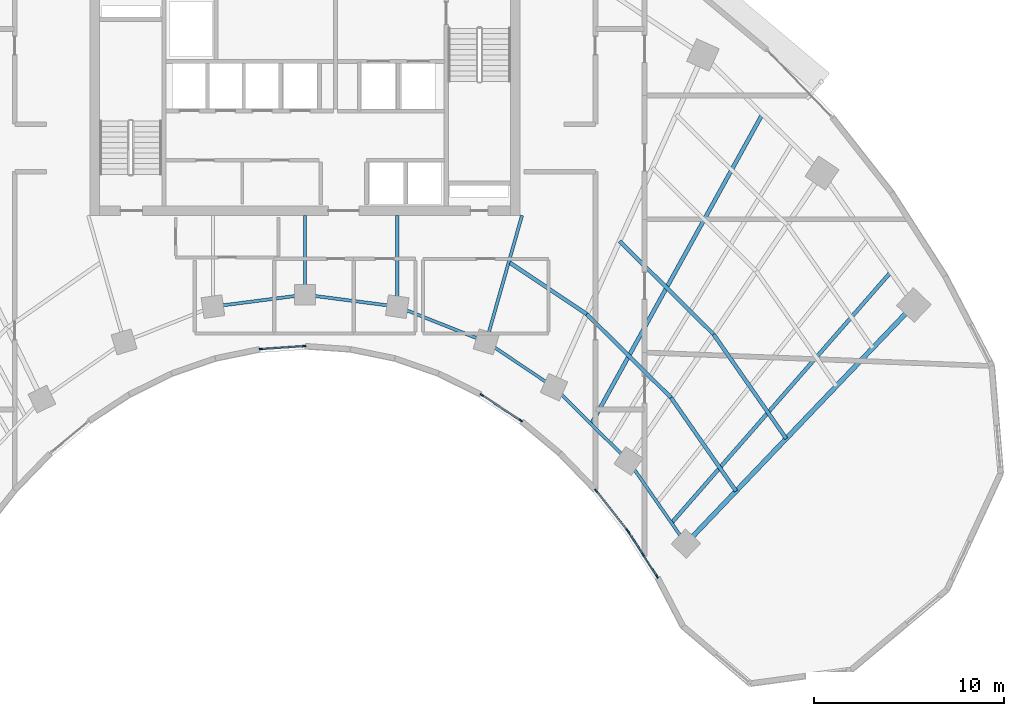
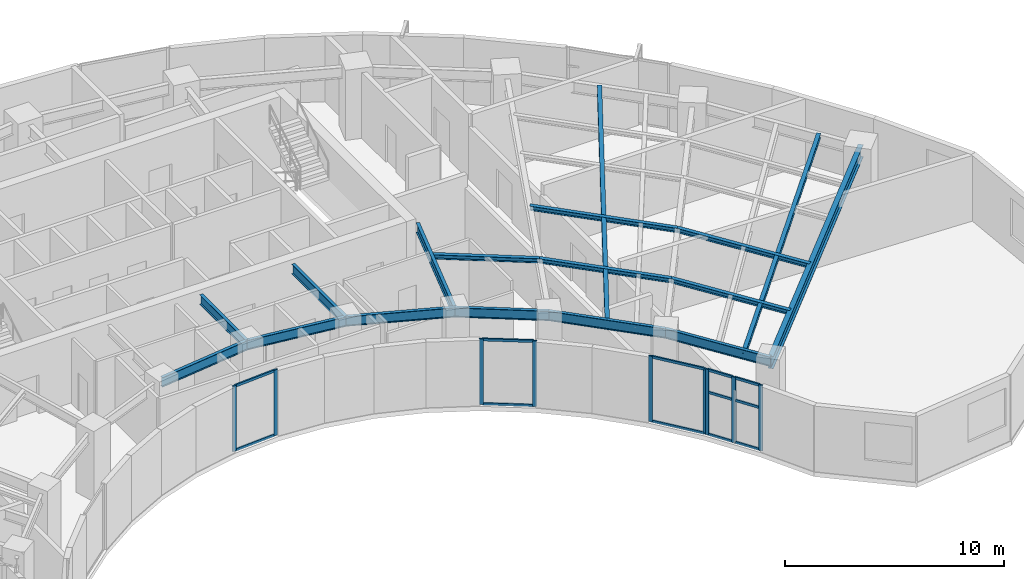
# One storey, part 3 of 14: 21 members, 17 beams, 4 elements without a shape of their own.
"""IFC4 building model written with IfcOpenShell, lengths in metres."""

from ifc_helpers import new_model, si_unit, direction, frame, origin, origin_2d, place, context, subcontext, project, spatial, rectangle, i_section, extrude, source, transform, mapped, material, layer, layer_set, material_profile, profile_set, type_object, type_shapes, element, aggregate, save


model = new_model("IFC4")

# Units and contexts
model_context = context("Model", 3, precision=1e-05, world=origin(), true_north=direction((0.0, 1.0)))
body_context = subcontext(model_context, "Body", "Model", "MODEL_VIEW")
ifc_project = project(units=[si_unit("LENGTHUNIT", "METRE"), si_unit("AREAUNIT", "SQUARE_METRE"), si_unit("VOLUMEUNIT", "CUBIC_METRE"), si_unit("PLANEANGLEUNIT", "RADIAN"), si_unit("MASSUNIT", "GRAM", prefix="KILO")], contexts=[model_context])

# Site, building, storey
site_placement = place(None, origin())
site = spatial("IfcSite", under=ifc_project, at=site_placement, CompositionType="ELEMENT")
building_placement = place(site_placement, origin())
building = spatial("IfcBuilding", under=site, at=building_placement, Name="Breltana Convention Tower", CompositionType="ELEMENT")
storey_placement = place(building_placement, frame((0.0, 0.0, 123.300048828125)))
storey = spatial("IfcBuildingStorey", under=building, at=storey_placement, Name="L29", CompositionType="ELEMENT", Elevation=123.300048828125)

# Beams
ifc_material_1 = material(Name="Steel ASTM A992 Grade 50", Category="steel")
ifc_material_profile_1 = material_profile(ifc_material_1, i_section(OverallWidth=0.25390625, OverallDepth=0.68798828125, WebThickness=0.01318359375, FlangeThickness=0.02099609375, at=origin_2d()), Name="W27X102")
ifc_profile_set_1 = profile_set([ifc_material_profile_1], Name="Steel ASTM A992 Grade 50")
beam_type_1 = type_object("IfcBeamType", Name="BM-RG-W27X102", PredefinedType="USERDEFINED", material=ifc_profile_set_1)
shared_shape_1 = source(origin(), body_context, "Body", "SweptSolid", [
    extrude(i_section(OverallWidth=0.25390625, OverallDepth=0.68798828125, WebThickness=0.01318359375, FlangeThickness=0.02099609375, at=origin_2d()), origin(), (0.0, 0.0, 1.0), 17.341064453125),
])
type_shapes(beam_type_1, [shared_shape_1])
beam_1_placement = place(storey_placement, frame((68.015380859375, 42.95458984375, 3.305908203125), z_axis=(0.690716462293, 0.723125693581, 0.0), x_axis=(-0.723125693581, 0.690716462293, 0.0)))
element("IfcBeam", 1, at=beam_1_placement, inside=storey, type_object=beam_type_1, Name="L29 Radial Floor Girder R11", ObjectType="GIRDER", PredefinedType="USERDEFINED", context=body_context, shape_type="MappedRepresentation", body=[
    mapped(shared_shape_1, transform((0.0, 0.0, 0.0), scale=1.0)),
])
ifc_material_profile_2 = material_profile(ifc_material_1, i_section(OverallWidth=0.166015625, OverallDepth=0.534912109375, WebThickness=0.01025390625, FlangeThickness=0.0166015625, at=origin_2d()), Name="W21X57")
ifc_profile_set_2 = profile_set([ifc_material_profile_2], Name="Steel ASTM A992 Grade 50")
beam_type_2 = type_object("IfcBeamType", Name="BM-BM-W21X57", PredefinedType="BEAM", material=ifc_profile_set_2)
shared_shape_2 = source(origin(), body_context, "Body", "SweptSolid", [
    extrude(i_section(OverallWidth=0.166015625, OverallDepth=0.534912109375, WebThickness=0.01025390625, FlangeThickness=0.0166015625, at=origin_2d()), origin(), (0.0, 0.0, 1.0), 6.904541015625),
])
type_shapes(beam_type_2, [shared_shape_2])
beam_2_placement = place(storey_placement, frame((59.39990234375, 60.199951171875, 3.382568359375), z_axis=(-0.273006781054, -0.962012108811, 0.0), x_axis=(0.962012108811, -0.273006781054, 0.0)))
element("IfcBeam", 2, at=beam_2_placement, inside=storey, type_object=beam_type_2, Name="L29 South Core Tie Girder R08", PredefinedType="BEAM", context=body_context, shape_type="MappedRepresentation", body=[
    mapped(shared_shape_2, transform((0.0, 0.0, 0.0), scale=1.0)),
])
shared_shape_3 = source(origin(), body_context, "Body", "SweptSolid", [
    extrude(i_section(OverallWidth=0.166015625, OverallDepth=0.534912109375, WebThickness=0.01025390625, FlangeThickness=0.0166015625, at=origin_2d()), origin(), (0.0, 0.0, 1.0), 4.789306640625),
])
beam_3_placement = place(storey_placement, frame((52.846435546875, 60.199951171875, 3.382568359375), z_axis=(0.0, -1.0, 0.0), x_axis=(1.0, 0.0, 0.0)))
element("IfcBeam", 3, at=beam_3_placement, inside=storey, type_object=beam_type_2, Name="L29 South Core Tie Girder R07", PredefinedType="BEAM", context=body_context, shape_type="MappedRepresentation", body=[
    mapped(shared_shape_3, transform((0.0, 0.0, 0.0), scale=1.0)),
])
shared_shape_4 = source(origin(), body_context, "Body", "SweptSolid", [
    extrude(i_section(OverallWidth=0.166015625, OverallDepth=0.534912109375, WebThickness=0.01025390625, FlangeThickness=0.0166015625, at=origin_2d()), origin(), (0.0, 0.0, 1.0), 4.1640625),
])
beam_4_placement = place(storey_placement, frame((48.0, 60.199951171875, 3.382568359375), z_axis=(0.0, -1.0, 0.0), x_axis=(1.0, 0.0, 0.0)))
element("IfcBeam", 4, at=beam_4_placement, inside=storey, type_object=beam_type_2, Name="L29 South Core Tie Girder R06", PredefinedType="BEAM", context=body_context, shape_type="MappedRepresentation", body=[
    mapped(shared_shape_4, transform((0.0, 0.0, 0.0), scale=1.0)),
])
shared_shape_5 = source(origin(), body_context, "Body", "SweptSolid", [
    extrude(i_section(OverallWidth=0.166015625, OverallDepth=0.534912109375, WebThickness=0.01025390625, FlangeThickness=0.0166015625, at=origin_2d()), origin(), (0.0, 0.0, 1.0), 5.022705078125),
])
beam_5_placement = place(storey_placement, frame((52.846435546875, 55.41064453125, 3.382568359375), z_axis=(0.929458966248, -0.368925507469, 0.0), x_axis=(0.368925507469, 0.929458966248, 0.0)))
element("IfcBeam", 5, at=beam_5_placement, inside=storey, type_object=beam_type_2, Name="L29 Inner Ring Beam 07", PredefinedType="BEAM", context=body_context, shape_type="MappedRepresentation", body=[
    mapped(shared_shape_5, transform((0.0, 0.0, 0.0), scale=1.0)),
])
shared_shape_6 = source(origin(), body_context, "Body", "SweptSolid", [
    extrude(i_section(OverallWidth=0.166015625, OverallDepth=0.534912109375, WebThickness=0.01025390625, FlangeThickness=0.0166015625, at=origin_2d()), origin(), (0.0, 0.0, 1.0), 4.88671875),
])
for number, where, z_axis, x_axis, name in (
    (6, (43.153564453125, 55.41064453125, 3.382568359375), (0.991780525565, 0.127950729231, 0.0), (-0.127950729231, 0.991780525565, 0.0), "L29 Inner Ring Beam 05"),
    (7, (48.0, 56.035888671875, 3.382568359375), (0.991780525565, -0.127950729231, 0.0), (0.127950729231, 0.991780525565, 0.0), "L29 Inner Ring Beam 06"),
):
    element("IfcBeam", number, at=place(storey_placement, frame(where, z_axis=z_axis, x_axis=x_axis)), inside=storey, type_object=beam_type_2, Name=name, PredefinedType="BEAM", context=body_context, shape_type="MappedRepresentation", body=[
        mapped(shared_shape_6, transform((0.0, 0.0, 0.0), scale=1.0)),
    ])
shared_shape_7 = source(origin(), body_context, "Body", "SweptSolid", [
    extrude(i_section(OverallWidth=0.166015625, OverallDepth=0.534912109375, WebThickness=0.01025390625, FlangeThickness=0.0166015625, at=origin_2d()), origin(), (0.0, 0.0, 1.0), 4.2900390625),
])
beam_6_placement = place(storey_placement, frame((57.514892578125, 53.5576171875, 3.382568359375), z_axis=(0.831515827753, -0.555501060482, 0.0), x_axis=(0.555501060482, 0.831515827753, 0.0)))
element("IfcBeam", 8, at=beam_6_placement, inside=storey, type_object=beam_type_2, Name="L29 Inner Ring Beam 08", PredefinedType="BEAM", context=body_context, shape_type="MappedRepresentation", body=[
    mapped(shared_shape_7, transform((0.0, 0.0, 0.0), scale=1.0)),
])
shared_shape_8 = source(origin(), body_context, "Body", "SweptSolid", [
    extrude(i_section(OverallWidth=0.166015625, OverallDepth=0.534912109375, WebThickness=0.01025390625, FlangeThickness=0.0166015625, at=origin_2d()), origin(), (0.0, 0.0, 1.0), 5.51171875),
])
beam_7_placement = place(storey_placement, frame((61.08203125, 51.174560546875, 3.382568359375), z_axis=(0.710090360749, -0.704110559196, 0.0), x_axis=(0.704110559196, 0.710090360749, 0.0)))
element("IfcBeam", 9, at=beam_7_placement, inside=storey, type_object=beam_type_2, Name="L29 Inner Ring Beam 09", PredefinedType="BEAM", context=body_context, shape_type="MappedRepresentation", body=[
    mapped(shared_shape_8, transform((0.0, 0.0, 0.0), scale=1.0)),
])
shared_shape_9 = source(origin(), body_context, "Body", "SweptSolid", [
    extrude(i_section(OverallWidth=0.166015625, OverallDepth=0.534912109375, WebThickness=0.01025390625, FlangeThickness=0.0166015625, at=origin_2d()), origin(), (0.0, 0.0, 1.0), 5.286376953125),
])
beam_8_placement = place(storey_placement, frame((64.995849609375, 47.293701171875, 3.382568359375), z_axis=(0.571194382458, -0.82081482531, 0.0), x_axis=(0.82081482531, 0.571194382458, 0.0)))
element("IfcBeam", 10, at=beam_8_placement, inside=storey, type_object=beam_type_2, Name="L29 Inner Ring Beam 10", PredefinedType="BEAM", context=body_context, shape_type="MappedRepresentation", body=[
    mapped(shared_shape_9, transform((0.0, 0.0, 0.0), scale=1.0)),
])
ifc_material_profile_3 = material_profile(ifc_material_1, i_section(OverallWidth=0.201904296875, OverallDepth=0.2470703125, WebThickness=0.00732421875, FlangeThickness=0.010986328125, at=origin_2d()), Name="W10X33")
ifc_profile_set_3 = profile_set([ifc_material_profile_3], Name="Steel ASTM A992 Grade 50")
beam_type_3 = type_object("IfcBeamType", Name="BM-JSG-11", PredefinedType="JOIST", material=ifc_profile_set_3)
shared_shape_10 = source(origin(), body_context, "Body", "SweptSolid", [
    extrude(i_section(OverallWidth=0.201904296875, OverallDepth=0.2470703125, WebThickness=0.00732421875, FlangeThickness=0.010986328125, at=origin_2d()), origin(), (0.0, 0.0, 1.0), 4.854736328125),
])
beam_9_placement = place(storey_placement, frame((58.767578125, 57.71240234375, 3.5263671875), z_axis=(0.831485074305, -0.555547091801, 0.0), x_axis=(0.555547091801, 0.831485074305, 0.0)))
element("IfcBeam", 11, at=beam_9_placement, inside=storey, type_object=beam_type_3, Name="L29 Composite Floor Joist 08.1", PredefinedType="JOIST", context=body_context, shape_type="MappedRepresentation", body=[
    mapped(shared_shape_10, transform((0.0, 0.0, 0.0), scale=1.0)),
])
shared_shape_11 = source(origin(), body_context, "Body", "SweptSolid", [
    extrude(i_section(OverallWidth=0.201904296875, OverallDepth=0.2470703125, WebThickness=0.00732421875, FlangeThickness=0.010986328125, at=origin_2d()), origin(), (0.0, 0.0, 1.0), 6.2373046875),
])
beam_10_placement = place(storey_placement, frame((62.80419921875, 55.015380859375, 3.5263671875), z_axis=(0.710114292485, -0.704086423394, 0.0), x_axis=(0.704086423394, 0.710114292485, 0.0)))
element("IfcBeam", 12, at=beam_10_placement, inside=storey, type_object=beam_type_3, Name="L29 Composite Floor Joist 09.1", PredefinedType="JOIST", context=body_context, shape_type="MappedRepresentation", body=[
    mapped(shared_shape_11, transform((0.0, 0.0, 0.0), scale=1.0)),
])
shared_shape_12 = source(origin(), body_context, "Body", "SweptSolid", [
    extrude(i_section(OverallWidth=0.201904296875, OverallDepth=0.2470703125, WebThickness=0.00732421875, FlangeThickness=0.010986328125, at=origin_2d()), origin(), (0.0, 0.0, 1.0), 6.963134765625),
])
beam_11_placement = place(storey_placement, frame((64.526611328125, 58.8564453125, 3.5263671875), z_axis=(0.71009817493, -0.704102678564, 0.0), x_axis=(0.704102678564, 0.71009817493, 0.0)))
element("IfcBeam", 13, at=beam_11_placement, inside=storey, type_object=beam_type_3, Name="L29 Composite Floor Joist 09.2", PredefinedType="JOIST", context=body_context, shape_type="MappedRepresentation", body=[
    mapped(shared_shape_12, transform((0.0, 0.0, 0.0), scale=1.0)),
])
ifc_material_profile_4 = material_profile(ifc_material_1, i_section(OverallWidth=0.2099609375, OverallDepth=0.537109375, WebThickness=0.010986328125, FlangeThickness=0.017333984375, at=origin_2d()), Name="W21X68")
ifc_profile_set_4 = profile_set([ifc_material_profile_4], Name="Steel ASTM A992 Grade 50")
beam_type_4 = type_object("IfcBeamType", Name="BM-JSG-04", PredefinedType="JOIST", material=ifc_profile_set_4)
shared_shape_13 = source(origin(), body_context, "Body", "SweptSolid", [
    extrude(i_section(OverallWidth=0.2099609375, OverallDepth=0.537109375, WebThickness=0.010986328125, FlangeThickness=0.017333984375, at=origin_2d()), origin(), (0.0, 0.0, 1.0), 18.617431640625),
])
beam_12_placement = place(storey_placement, frame((63.038818359375, 49.234130859375, 3.38134765625), z_axis=(0.483405602507, 0.875396495004, 0.0), x_axis=(-0.875396495004, 0.483405602507, 0.0)))
element("IfcBeam", 14, at=beam_12_placement, inside=storey, type_object=beam_type_4, Name="L29 Mid-Bay Radial Trimmer 09", PredefinedType="JOIST", context=body_context, shape_type="MappedRepresentation", body=[
    mapped(shared_shape_13, transform((0.0, 0.0, 0.0), scale=1.0)),
])
shared_shape_14 = source(origin(), body_context, "Body", "SweptSolid", [
    extrude(i_section(OverallWidth=0.201904296875, OverallDepth=0.2470703125, WebThickness=0.00732421875, FlangeThickness=0.010986328125, at=origin_2d()), origin(), (0.0, 0.0, 1.0), 5.982421875),
])
beam_13_placement = place(storey_placement, frame((67.2333984375, 50.623779296875, 3.5263671875), z_axis=(0.571211549446, -0.82080287876, 0.0), x_axis=(0.82080287876, 0.571211549446, 0.0)))
element("IfcBeam", 15, at=beam_13_placement, inside=storey, type_object=beam_type_3, Name="L29 Composite Floor Joist 10.1", PredefinedType="JOIST", context=body_context, shape_type="MappedRepresentation", body=[
    mapped(shared_shape_14, transform((0.0, 0.0, 0.0), scale=1.0)),
])
shared_shape_15 = source(origin(), body_context, "Body", "SweptSolid", [
    extrude(i_section(OverallWidth=0.201904296875, OverallDepth=0.2470703125, WebThickness=0.00732421875, FlangeThickness=0.010986328125, at=origin_2d()), origin(), (0.0, 0.0, 1.0), 6.677978515625),
])
beam_14_placement = place(storey_placement, frame((69.47119140625, 53.95361328125, 3.5263671875), z_axis=(0.571193018768, -0.820815774282, 0.0), x_axis=(0.820815774282, 0.571193018768, 0.0)))
element("IfcBeam", 16, at=beam_14_placement, inside=storey, type_object=beam_type_3, Name="L29 Composite Floor Joist 10.2", PredefinedType="JOIST", context=body_context, shape_type="MappedRepresentation", body=[
    mapped(shared_shape_15, transform((0.0, 0.0, 0.0), scale=1.0)),
])
shared_shape_16 = source(origin(), body_context, "Body", "SweptSolid", [
    extrude(i_section(OverallWidth=0.201904296875, OverallDepth=0.2470703125, WebThickness=0.00732421875, FlangeThickness=0.010986328125, at=origin_2d()), origin(), (0.0, 0.0, 1.0), 17.515625),
])
beam_15_placement = place(storey_placement, frame((67.260498046875, 44.03955078125, 3.5263671875), z_axis=(0.658051548324, 0.752972881151, 0.0), x_axis=(-0.752972881151, 0.658051548324, 0.0)))
element("IfcBeam", 17, at=beam_15_placement, inside=storey, type_object=beam_type_3, Name="L29 Quarter-Bay Radial Trimmer 10", PredefinedType="JOIST", context=body_context, shape_type="MappedRepresentation", body=[
    mapped(shared_shape_16, transform((0.0, 0.0, 0.0), scale=1.0)),
])

# Curtain wall, members
ifc_material_2 = material(Name="Aluminium Anodised Bronze Frame", Category="aluminium")
ifc_layer = layer(ifc_material_2, 0.18994140625, Name="Aluminium Anodised Bronze Frame")
ifc_layer_set = layer_set([ifc_layer], Name="Aluminium Anodised Bronze Frame")
curtain_wall_type = type_object("IfcCurtainWallType", Name="CW-SYS-1", PredefinedType="NOTDEFINED", material=ifc_layer_set)
curtain_wall_1_placement = place(storey_placement, origin())
curtain_wall_1 = element("IfcCurtainWall", 18, at=curtain_wall_1_placement, inside=storey, type_object=curtain_wall_type, Name="L29 inner south-court glazing 1", PredefinedType="NOTDEFINED")
ifc_material_3 = material(Name="Aluminium Anodised Bronze", Category="aluminium")
ifc_material_profile_5 = material_profile(ifc_material_3, rectangle(XDim=0.080078125, YDim=0.139892578125, at=origin_2d()), Name="CWT-80X140")
ifc_profile_set_5 = profile_set([ifc_material_profile_5], Name="Aluminium Anodised Bronze")
member_type_1 = type_object("IfcMemberType", Name="CWT-140", PredefinedType="USERDEFINED", material=ifc_profile_set_5)
shared_shape_17 = source(origin(), body_context, "Body", "SweptSolid", [
    extrude(rectangle(XDim=0.080078125, YDim=0.139892578125, at=origin_2d()), origin(), (0.0, 0.0, 1.0), 1.30029296875),
])
member_1_placement = place(storey_placement, frame((66.4794921875, 41.259521484375, 0.0400390625), z_axis=(-0.540188084224, 0.841544314735, 0.0), x_axis=(-0.841544314735, -0.540188084224, 0.0)))
member_1 = element("IfcMember", 19, at=member_1_placement, type_object=member_type_1, Name="CW-01 transom 1.1", ObjectType="TRANSOM", PredefinedType="USERDEFINED", context=body_context, shape_type="MappedRepresentation", body=[
    mapped(shared_shape_17, transform((0.0, 0.0, 0.0), scale=1.0)),
])
member_2_placement = place(storey_placement, frame((66.4794921875, 41.259521484375, 2.37255859375), z_axis=(-0.540188084224, 0.841544314735, 0.0), x_axis=(-0.841544314735, -0.540188084224, 0.0)))
member_2 = element("IfcMember", 20, at=member_2_placement, type_object=member_type_1, Name="CW-01 transom 1.2", ObjectType="TRANSOM", PredefinedType="USERDEFINED", context=body_context, shape_type="MappedRepresentation", body=[
    mapped(shared_shape_17, transform((0.0, 0.0, 0.0), scale=1.0)),
])
member_3_placement = place(storey_placement, frame((66.4794921875, 41.259521484375, 3.60986328125), z_axis=(-0.540188084224, 0.841544314735, 0.0), x_axis=(-0.841544314735, -0.540188084224, 0.0)))
member_3 = element("IfcMember", 21, at=member_3_placement, type_object=member_type_1, Name="CW-01 transom 1.3", ObjectType="TRANSOM", PredefinedType="USERDEFINED", context=body_context, shape_type="MappedRepresentation", body=[
    mapped(shared_shape_17, transform((0.0, 0.0, 0.0), scale=1.0)),
])
shared_shape_18 = source(origin(), body_context, "Body", "SweptSolid", [
    extrude(rectangle(XDim=0.080078125, YDim=0.139892578125, at=origin_2d()), origin(), (0.0, 0.0, 1.0), 1.300048828125),
])
member_4_placement = place(storey_placement, frame((65.73388671875, 42.4208984375, 0.0400390625), z_axis=(-0.540140453972, 0.841574886735, 0.0), x_axis=(-0.841574886735, -0.540140453972, 0.0)))
member_4 = element("IfcMember", 22, at=member_4_placement, type_object=member_type_1, Name="CW-01 transom 2.1", ObjectType="TRANSOM", PredefinedType="USERDEFINED", context=body_context, shape_type="MappedRepresentation", body=[
    mapped(shared_shape_18, transform((0.0, 0.0, 0.0), scale=1.0)),
])
member_5_placement = place(storey_placement, frame((65.73388671875, 42.4208984375, 2.37255859375), z_axis=(-0.540140453972, 0.841574886735, 0.0), x_axis=(-0.841574886735, -0.540140453972, 0.0)))
member_5 = element("IfcMember", 23, at=member_5_placement, type_object=member_type_1, Name="CW-01 transom 2.2", ObjectType="TRANSOM", PredefinedType="USERDEFINED", context=body_context, shape_type="MappedRepresentation", body=[
    mapped(shared_shape_18, transform((0.0, 0.0, 0.0), scale=1.0)),
])
member_6_placement = place(storey_placement, frame((65.73388671875, 42.4208984375, 3.60986328125), z_axis=(-0.540140453972, 0.841574886735, 0.0), x_axis=(-0.841574886735, -0.540140453972, 0.0)))
member_6 = element("IfcMember", 24, at=member_6_placement, type_object=member_type_1, Name="CW-01 transom 2.3", ObjectType="TRANSOM", PredefinedType="USERDEFINED", context=body_context, shape_type="MappedRepresentation", body=[
    mapped(shared_shape_18, transform((0.0, 0.0, 0.0), scale=1.0)),
])

curtain_wall_2_placement = place(storey_placement, origin())
curtain_wall_2 = element("IfcCurtainWall", 25, at=curtain_wall_2_placement, inside=storey, type_object=curtain_wall_type, Name="L29 inner south-court glazing 2", PredefinedType="NOTDEFINED")
shared_shape_19 = source(origin(), body_context, "Body", "SweptSolid", [
    extrude(rectangle(XDim=0.080078125, YDim=0.139892578125, at=origin_2d()), origin(), (0.0, 0.0, 1.0), 2.6005859375),
])
member_7_placement = place(storey_placement, frame((64.928955078125, 43.6591796875, 0.0400390625), z_axis=(-0.618078566977, 0.786116330478, 0.0), x_axis=(-0.786116330478, -0.618078566977, 0.0)))
member_7 = element("IfcMember", 26, at=member_7_placement, type_object=member_type_1, Name="CW-01 transom 1.1", ObjectType="TRANSOM", PredefinedType="USERDEFINED", context=body_context, shape_type="MappedRepresentation", body=[
    mapped(shared_shape_19, transform((0.0, 0.0, 0.0), scale=1.0)),
])
member_8_placement = place(storey_placement, frame((64.928955078125, 43.6591796875, 3.60986328125), z_axis=(-0.618078566977, 0.786116330478, 0.0), x_axis=(-0.786116330478, -0.618078566977, 0.0)))
member_8 = element("IfcMember", 27, at=member_8_placement, type_object=member_type_1, Name="CW-01 transom 1.2", ObjectType="TRANSOM", PredefinedType="USERDEFINED", context=body_context, shape_type="MappedRepresentation", body=[
    mapped(shared_shape_19, transform((0.0, 0.0, 0.0), scale=1.0)),
])

# Member
ifc_material_profile_6 = material_profile(ifc_material_3, rectangle(XDim=0.080078125, YDim=0.199951171875, at=origin_2d()), Name="CWM-80X200")
ifc_profile_set_6 = profile_set([ifc_material_profile_6], Name="Aluminium Anodised Bronze")
member_type_2 = type_object("IfcMemberType", Name="CWM-200", PredefinedType="MULLION", material=ifc_profile_set_6)
shared_shape_20 = source(origin(), body_context, "Body", "SweptSolid", [
    extrude(rectangle(XDim=0.080078125, YDim=0.199951171875, at=origin_2d()), origin(), (0.0, 0.0, 1.0), 3.64990234375),
])
member_9_placement = place(storey_placement, frame((66.5009765625, 41.22607421875, 0.0), z_axis=(0.0, 0.0, 1.0), x_axis=(-0.841551235949, -0.5401773017, 0.0)))
member_9 = element("IfcMember", 28, at=member_9_placement, type_object=member_type_2, Name="CW-01 mullion 1", PredefinedType="MULLION", context=body_context, shape_type="MappedRepresentation", body=[
    mapped(shared_shape_20, transform((0.0, 0.0, 0.0), scale=1.0)),
])

member_10_placement = place(storey_placement, frame((65.755615234375, 42.38720703125, 0.0), z_axis=(0.0, 0.0, 1.0), x_axis=(-0.841551235949, -0.5401773017, 0.0)))
member_10 = element("IfcMember", 29, at=member_10_placement, type_object=member_type_2, Name="CW-01 mullion 2", PredefinedType="MULLION", context=body_context, shape_type="MappedRepresentation", body=[
    mapped(shared_shape_20, transform((0.0, 0.0, 0.0), scale=1.0)),
])

member_11_placement = place(storey_placement, frame((65.010009765625, 43.548583984375, 0.0), z_axis=(0.0, 0.0, 1.0), x_axis=(-0.841551235949, -0.5401773017, 0.0)))
member_11 = element("IfcMember", 30, at=member_11_placement, type_object=member_type_2, Name="CW-01 mullion 3", PredefinedType="MULLION", context=body_context, shape_type="MappedRepresentation", body=[
    mapped(shared_shape_20, transform((0.0, 0.0, 0.0), scale=1.0)),
])

aggregate(curtain_wall_1, [member_9, member_10, member_11, member_1, member_2, member_3, member_4, member_5, member_6])

member_12_placement = place(storey_placement, frame((64.953857421875, 43.6279296875, 0.0), z_axis=(0.0, 0.0, 1.0), x_axis=(-0.786054302547, -0.61815745037, 0.0)))
member_12 = element("IfcMember", 31, at=member_12_placement, type_object=member_type_2, Name="CW-01 mullion 1", PredefinedType="MULLION", context=body_context, shape_type="MappedRepresentation", body=[
    mapped(shared_shape_20, transform((0.0, 0.0, 0.0), scale=1.0)),
])

member_13_placement = place(storey_placement, frame((63.296630859375, 45.73486328125, 0.0), z_axis=(0.0, 0.0, 1.0), x_axis=(-0.786054302547, -0.61815745037, 0.0)))
member_13 = element("IfcMember", 32, at=member_13_placement, type_object=member_type_2, Name="CW-01 mullion 2", PredefinedType="MULLION", context=body_context, shape_type="MappedRepresentation", body=[
    mapped(shared_shape_20, transform((0.0, 0.0, 0.0), scale=1.0)),
])

aggregate(curtain_wall_2, [member_12, member_13, member_7, member_8])

# Curtain wall, members
curtain_wall_3_placement = place(storey_placement, origin())
curtain_wall_3 = element("IfcCurtainWall", 33, at=curtain_wall_3_placement, inside=storey, type_object=curtain_wall_type, Name="L29 inner south-court glazing 3", PredefinedType="NOTDEFINED")
member_14_placement = place(storey_placement, frame((59.337158203125, 49.421142578125, 0.0), z_axis=(0.0, 0.0, 1.0), x_axis=(-0.548778301858, -0.835967927261, 0.0)))
member_14 = element("IfcMember", 34, at=member_14_placement, type_object=member_type_2, Name="CW-01 mullion 1", PredefinedType="MULLION", context=body_context, shape_type="MappedRepresentation", body=[
    mapped(shared_shape_20, transform((0.0, 0.0, 0.0), scale=1.0)),
])
member_15_placement = place(storey_placement, frame((57.291259765625, 50.76416015625, 0.0), z_axis=(0.0, 0.0, 1.0), x_axis=(-0.548778301858, -0.835967927261, 0.0)))
member_15 = element("IfcMember", 35, at=member_15_placement, type_object=member_type_2, Name="CW-01 mullion 2", PredefinedType="MULLION", context=body_context, shape_type="MappedRepresentation", body=[
    mapped(shared_shape_20, transform((0.0, 0.0, 0.0), scale=1.0)),
])

curtain_wall_4_placement = place(storey_placement, origin())
curtain_wall_4 = element("IfcCurtainWall", 36, at=curtain_wall_4_placement, inside=storey, type_object=curtain_wall_type, Name="L29 inner south-court glazing 4", PredefinedType="NOTDEFINED")
member_16_placement = place(storey_placement, frame((47.947998046875, 53.331787109375, 0.0), z_axis=(0.0, 0.0, 1.0), x_axis=(0.067728021582, -0.997703821328, 0.0)))
member_16 = element("IfcMember", 37, at=member_16_placement, type_object=member_type_2, Name="CW-01 mullion 1", PredefinedType="MULLION", context=body_context, shape_type="MappedRepresentation", body=[
    mapped(shared_shape_20, transform((0.0, 0.0, 0.0), scale=1.0)),
])
member_17_placement = place(storey_placement, frame((45.67822265625, 53.177734375, 0.0), z_axis=(0.0, 0.0, 1.0), x_axis=(0.067728021582, -0.997703821328, 0.0)))
member_17 = element("IfcMember", 38, at=member_17_placement, type_object=member_type_2, Name="CW-01 mullion 2", PredefinedType="MULLION", context=body_context, shape_type="MappedRepresentation", body=[
    mapped(shared_shape_20, transform((0.0, 0.0, 0.0), scale=1.0)),
])

# Member
shared_shape_21 = source(origin(), body_context, "Body", "SweptSolid", [
    extrude(rectangle(XDim=0.080078125, YDim=0.139892578125, at=origin_2d()), origin(), (0.0, 0.0, 1.0), 2.3671875),
])
member_18_placement = place(storey_placement, frame((59.3037109375, 49.443115234375, 0.0400390625), z_axis=(-0.835979901311, 0.548760061051, 0.0), x_axis=(-0.548760061051, -0.835979901311, 0.0)))
member_18 = element("IfcMember", 39, at=member_18_placement, type_object=member_type_1, Name="CW-01 transom 1.1", ObjectType="TRANSOM", PredefinedType="USERDEFINED", context=body_context, shape_type="MappedRepresentation", body=[
    mapped(shared_shape_21, transform((0.0, 0.0, 0.0), scale=1.0)),
])

member_19_placement = place(storey_placement, frame((59.3037109375, 49.443115234375, 3.60986328125), z_axis=(-0.835979901311, 0.548760061051, 0.0), x_axis=(-0.548760061051, -0.835979901311, 0.0)))
member_19 = element("IfcMember", 40, at=member_19_placement, type_object=member_type_1, Name="CW-01 transom 1.2", ObjectType="TRANSOM", PredefinedType="USERDEFINED", context=body_context, shape_type="MappedRepresentation", body=[
    mapped(shared_shape_21, transform((0.0, 0.0, 0.0), scale=1.0)),
])

aggregate(curtain_wall_3, [member_14, member_15, member_18, member_19])

shared_shape_22 = source(origin(), body_context, "Body", "SweptSolid", [
    extrude(rectangle(XDim=0.080078125, YDim=0.139892578125, at=origin_2d()), origin(), (0.0, 0.0, 1.0), 2.195068359375),
])
member_20_placement = place(storey_placement, frame((47.907958984375, 53.3291015625, 0.0400390625), z_axis=(-0.99770320904, -0.067737040614, 0.0), x_axis=(0.067737040614, -0.99770320904, 0.0)))
member_20 = element("IfcMember", 41, at=member_20_placement, type_object=member_type_1, Name="CW-01 transom 1.1", ObjectType="TRANSOM", PredefinedType="USERDEFINED", context=body_context, shape_type="MappedRepresentation", body=[
    mapped(shared_shape_22, transform((0.0, 0.0, 0.0), scale=1.0)),
])

member_21_placement = place(storey_placement, frame((47.907958984375, 53.3291015625, 3.60986328125), z_axis=(-0.99770320904, -0.067737040614, 0.0), x_axis=(0.067737040614, -0.99770320904, 0.0)))
member_21 = element("IfcMember", 42, at=member_21_placement, type_object=member_type_1, Name="CW-01 transom 1.2", ObjectType="TRANSOM", PredefinedType="USERDEFINED", context=body_context, shape_type="MappedRepresentation", body=[
    mapped(shared_shape_22, transform((0.0, 0.0, 0.0), scale=1.0)),
])

aggregate(curtain_wall_4, [member_16, member_17, member_20, member_21])

save(model, "model.ifc")
